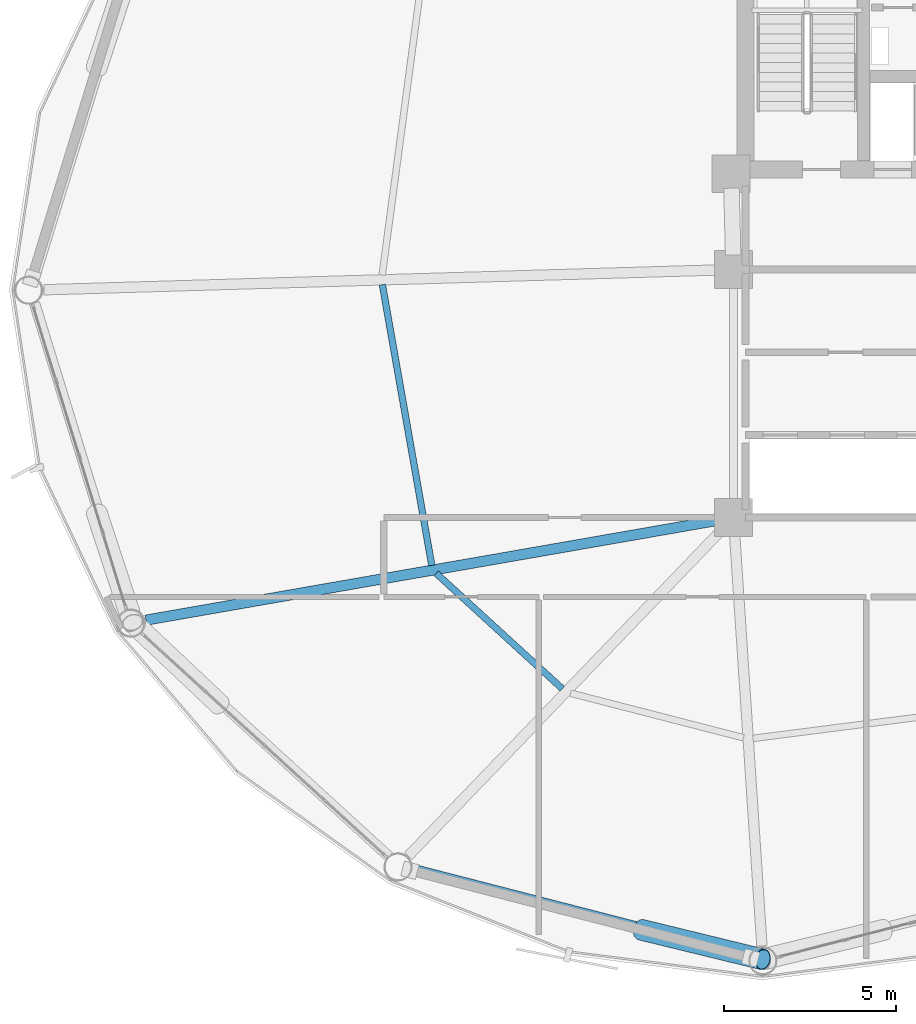
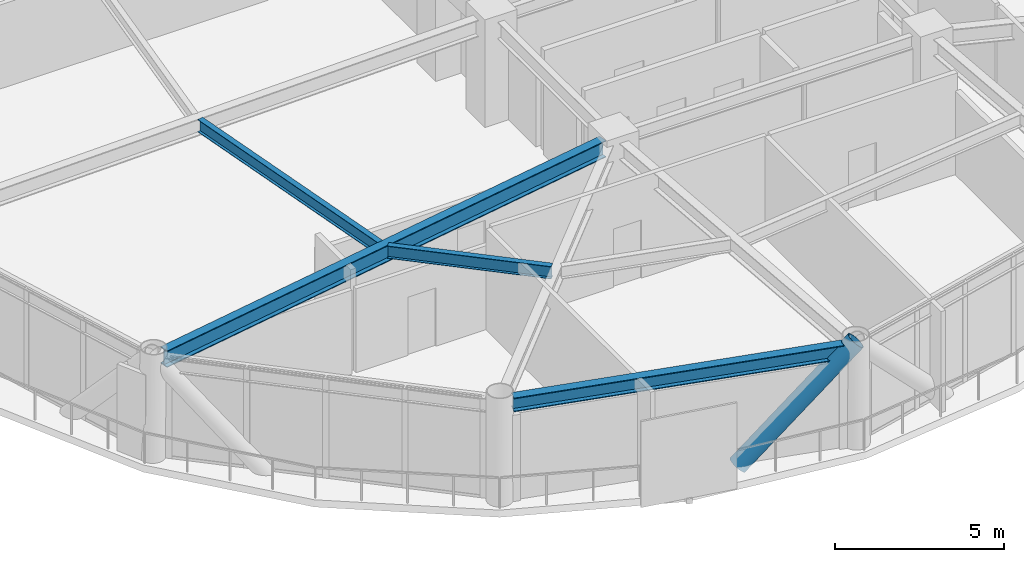
# One storey, part 5 of 24: 4 beams, 1 member.
"""IFC4 building model written with IfcOpenShell, lengths in metres."""

from ifc_helpers import new_model, si_unit, direction, frame, origin, origin_2d, place, context, subcontext, project, spatial, hollow_circle, i_section, extrude, material, material_profile, profile_set, type_object, element, save


model = new_model("IFC4")

# Units and contexts
model_context = context("Model", 3, precision=1e-05, world=origin(), true_north=direction((0.0, 1.0)))
body_context = subcontext(model_context, "Body", "Model", "MODEL_VIEW")
ifc_project = project(units=[si_unit("LENGTHUNIT", "METRE"), si_unit("AREAUNIT", "SQUARE_METRE"), si_unit("VOLUMEUNIT", "CUBIC_METRE"), si_unit("PLANEANGLEUNIT", "RADIAN"), si_unit("MASSUNIT", "GRAM", prefix="KILO")], contexts=[model_context])

# Site, building, storey
site_placement = place(None, origin())
site = spatial("IfcSite", under=ifc_project, at=site_placement, CompositionType="ELEMENT")
building_placement = place(site_placement, origin())
building = spatial("IfcBuilding", under=site, at=building_placement, Name="Varnakorn Sky Granary", CompositionType="ELEMENT")
storey_placement = place(building_placement, frame((0.0, 0.0, 118.800048828125)))
storey = spatial("IfcBuildingStorey", under=building, at=storey_placement, Name="L29", CompositionType="ELEMENT", Elevation=118.800048828125)

# Beams
ifc_material_1 = material(Name="Steel S355JR", Category="steel")
ifc_material_profile_1 = material_profile(ifc_material_1, i_section(OverallWidth=0.300048828125, OverallDepth=0.60009765625, WebThickness=0.015380859375, FlangeThickness=0.030029296875, at=origin_2d()), Name="HE 600 B")
ifc_profile_set_1 = profile_set([ifc_material_profile_1], Name="Steel S355JR")
beam_type_1 = type_object("IfcBeamType", Name="BM-RAD-Z2", PredefinedType="BEAM", material=ifc_profile_set_1)
beam_1_placement = place(storey_placement, frame((-2.763671875, -6.672119140625, 3.33984375), z_axis=(-0.985109404182, -0.171928653204, 0.0), x_axis=(0.171928653204, -0.985109404182, 0.0)))
element("IfcBeam", 1, at=beam_1_placement, inside=storey, type_object=beam_type_1, Name="Radial Floor Girder RG08 L29", PredefinedType="BEAM", context=body_context, shape_type="SweptSolid", body=[
    extrude(i_section(OverallWidth=0.300048828125, OverallDepth=0.60009765625, WebThickness=0.015380859375, FlangeThickness=0.030029296875, at=origin_2d()), origin(), (0.0, 0.0, 1.0), 16.88818359375),
])
ifc_material_profile_2 = material_profile(ifc_material_1, i_section(OverallWidth=0.18994140625, OverallDepth=0.449951171875, WebThickness=0.009521484375, FlangeThickness=0.0146484375, at=origin_2d()), Name="IPE 450")
ifc_profile_set_2 = profile_set([ifc_material_profile_2], Name="Steel S355JR")
beam_type_2 = type_object("IfcBeamType", Name="BM-SEC-Z2", PredefinedType="BEAM", material=ifc_profile_set_2)
beam_2_placement = place(storey_placement, frame((-12.5400390625, 0.16162109375, 3.4150390625), z_axis=(0.173317299721, -0.984866038412, 0.0), x_axis=(0.984866038412, 0.173317299721, 0.0)))
element("IfcBeam", 2, at=beam_2_placement, inside=storey, type_object=beam_type_2, Name="Secondary Floor Chord Beam MSB07 L29", PredefinedType="BEAM", context=body_context, shape_type="SweptSolid", body=[
    extrude(i_section(OverallWidth=0.18994140625, OverallDepth=0.449951171875, WebThickness=0.009521484375, FlangeThickness=0.0146484375, at=origin_2d()), origin(), (0.0, 0.0, 1.0), 8.27294921875),
])
beam_3_placement = place(storey_placement, frame((-10.978759765625, -8.218505859375, 3.4150390625), z_axis=(0.737988906117, -0.674812844016, 0.0), x_axis=(0.674812844016, 0.737988906117, 0.0)))
element("IfcBeam", 3, at=beam_3_placement, inside=storey, type_object=beam_type_2, Name="Secondary Floor Chord Beam MSB08 L29", PredefinedType="BEAM", context=body_context, shape_type="SweptSolid", body=[
    extrude(i_section(OverallWidth=0.18994140625, OverallDepth=0.449951171875, WebThickness=0.009521484375, FlangeThickness=0.0146484375, at=origin_2d()), origin(), (0.0, 0.0, 1.0), 4.9619140625),
])
ifc_material_profile_3 = material_profile(ifc_material_1, i_section(OverallWidth=0.300048828125, OverallDepth=0.5, WebThickness=0.014404296875, FlangeThickness=0.028076171875, at=origin_2d()), Name="HE 500 B")
ifc_profile_set_3 = profile_set([ifc_material_profile_3], Name="Steel S355JR")
beam_type_3 = type_object("IfcBeamType", Name="BM-SPD-Z2", PredefinedType="SPANDREL", material=ifc_profile_set_3)
beam_4_placement = place(storey_placement, frame((-11.678466796875, -16.7998046875, 3.389892578125), z_axis=(0.968400922479, -0.249398583279, 0.0), x_axis=(0.249398583279, 0.968400922479, 0.0)))
element("IfcBeam", 4, at=beam_4_placement, inside=storey, type_object=beam_type_3, Name="Perimeter Spandrel Ring Beam RB09 L29", PredefinedType="SPANDREL", context=body_context, shape_type="SweptSolid", body=[
    extrude(i_section(OverallWidth=0.300048828125, OverallDepth=0.5, WebThickness=0.014404296875, FlangeThickness=0.028076171875, at=origin_2d()), origin(), (0.0, 0.0, 1.0), 10.119140625),
])

# Member
ifc_material_2 = material(Name="Steel S460M", Category="steel")
ifc_material_profile_4 = material_profile(ifc_material_2, hollow_circle(Radius=0.304931640625, WallThickness=0.022216796875, at=origin_2d()), Name="CHS 610x22")
ifc_profile_set_4 = profile_set([ifc_material_profile_4], Name="Steel S460M")
member_type = type_object("IfcMemberType", Name="MB-DIAG-T1", PredefinedType="BRACE", material=ifc_profile_set_4)
member_placement = place(storey_placement, frame((-5.0302734375, -18.560546875, -0.130126953125), z_axis=(0.674226231, -0.164313501939, 0.720013932165), x_axis=(0.236776751922, 0.971564084221, 0.0)))
element("IfcMember", 5, at=member_placement, inside=storey, type_object=member_type, Name="Perimeter CHS Diagrid Brace DG09 L29", PredefinedType="BRACE", context=body_context, shape_type="SweptSolid", body=[
    extrude(hollow_circle(Radius=0.304931640625, WallThickness=0.022216796875, at=origin_2d()), origin(), (0.0, 0.0, 1.0), 5.236083984375),
])

save(model, "model.ifc")
